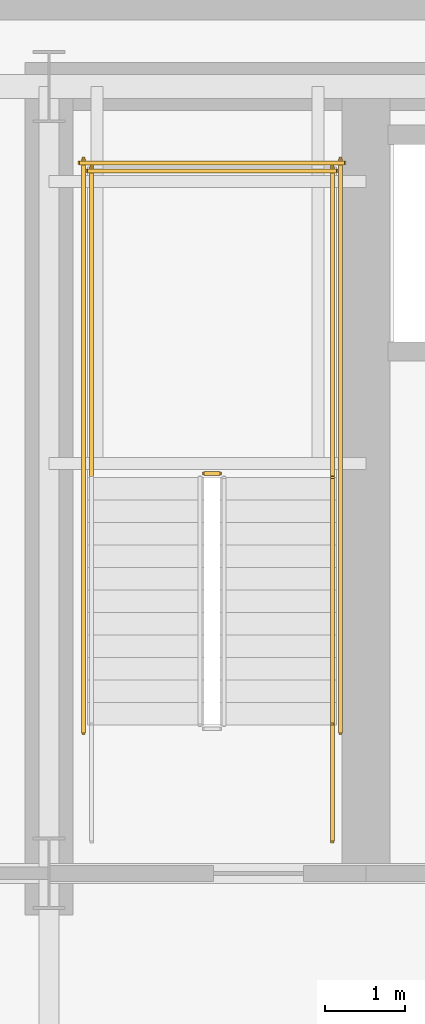
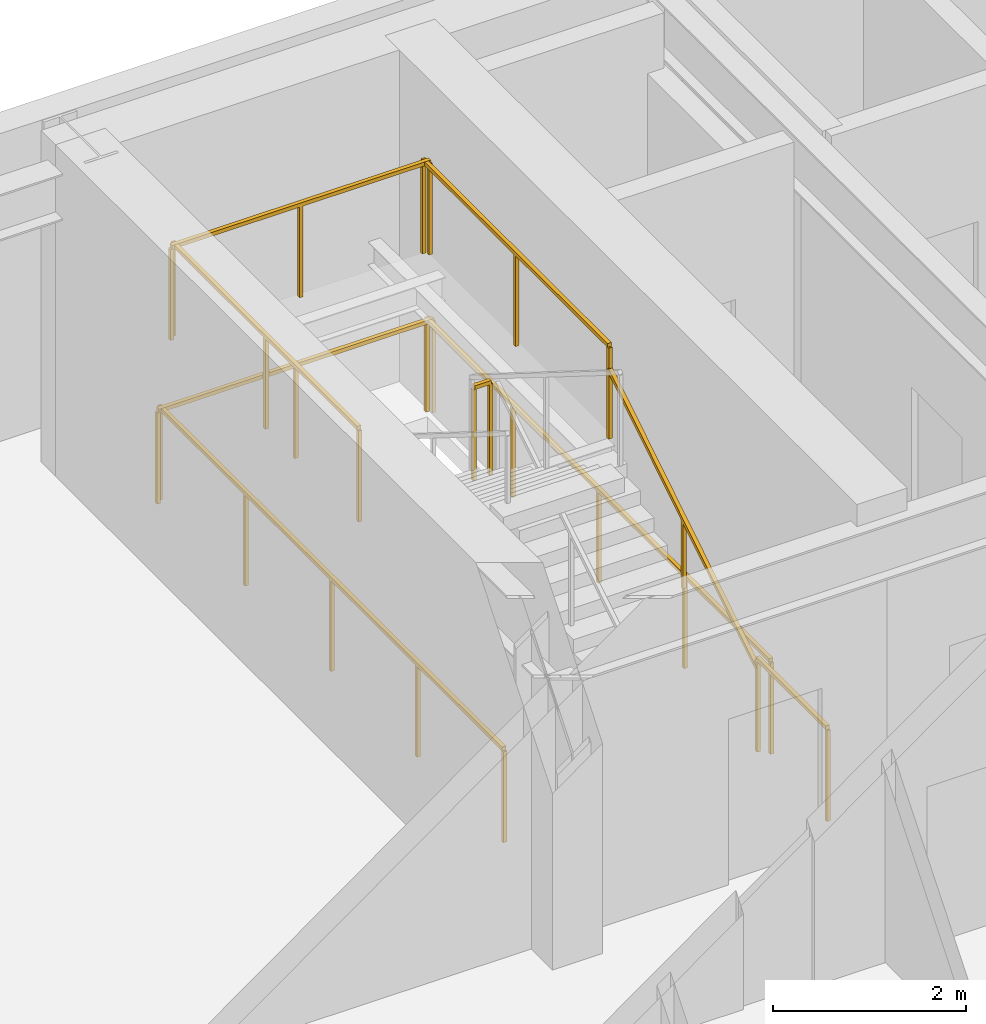
# One storey, part 12 of 15: 9 railings.
"""IFC4 building model written with IfcOpenShell, lengths in metres."""

from ifc_helpers import new_model, si_unit, direction, frame, origin, origin_2d, place, context, subcontext, project, spatial, rectangle, extrude, material, type_object, element, save


model = new_model("IFC4")

# Units and contexts
model_context = context("Model", 3, precision=1e-05, world=origin(), true_north=direction((0.0, 1.0)))
body_context = subcontext(model_context, "Body", "Model", "MODEL_VIEW")
ifc_project = project(units=[si_unit("LENGTHUNIT", "METRE"), si_unit("AREAUNIT", "SQUARE_METRE"), si_unit("VOLUMEUNIT", "CUBIC_METRE"), si_unit("PLANEANGLEUNIT", "RADIAN"), si_unit("MASSUNIT", "GRAM", prefix="KILO")], contexts=[model_context])

# Site, building, storey
site_placement = place(None, origin())
site = spatial("IfcSite", under=ifc_project, at=site_placement, CompositionType="ELEMENT")
building_placement = place(site_placement, origin())
building = spatial("IfcBuilding", under=site, at=building_placement, Name="Haevon Station Towers", CompositionType="ELEMENT")
storey_placement = place(building_placement, frame((0.0, 0.0, 77.699951171875)))
storey = spatial("IfcBuildingStorey", under=building, at=storey_placement, Name="L20", CompositionType="ELEMENT", Elevation=77.699951171875)

# Railings
ifc_material = material(Name="Steel S355", Category="steel")
railing_type_1 = type_object("IfcRailingType", Name="GRD-STR1200", PredefinedType="GUARDRAIL", material=ifc_material)
railing_1_placement = place(storey_placement, frame((26.1298828125, 43.179931640625, 2.10009765625)))
element("IfcRailing", 1, at=railing_1_placement, inside=storey, type_object=railing_type_1, Name="L20 ST1 Stair Guard 2", PredefinedType="GUARDRAIL", context=body_context, shape_type="SweptSolid", body=[
    extrude(rectangle(XDim=0.048095703125, YDim=0.048095703125, at=origin_2d()), frame((0.0, 0.0, 1.17578125), z_axis=(-1.0, 0.0, 0.0), x_axis=(0.0, -1.0, 0.0)), (0.0, 0.0, 1.0), 0.199951171875),
    extrude(rectangle(XDim=0.0419921875, YDim=0.0419921875, at=origin_2d()), origin(), (0.0, 0.0, 1.0), 1.15185546875),
    extrude(rectangle(XDim=0.0419921875, YDim=0.0419921875, at=origin_2d()), frame((-0.199951171875, 0.0, 0.0)), (0.0, 0.0, 1.0), 1.15185546875),
])
for number, where, name in (
    (2, (27.530029296875, 43.1298828125, 2.10009765625), "L20 ST1 Stair Guard 3"),
    (3, (24.530029296875, 43.1298828125, 2.10009765625), "L20 ST1 Stair Guard 4"),
):
    element("IfcRailing", number, at=place(storey_placement, frame(where)), inside=storey, type_object=railing_type_1, Name=name, PredefinedType="GUARDRAIL", context=body_context, shape_type="SweptSolid", body=[
        extrude(rectangle(XDim=0.048095703125, YDim=0.048095703125, at=origin_2d()), frame((0.0, 0.0, 1.17578125), z_axis=(0.0, 1.0, 0.0), x_axis=(-1.0, 0.0, 0.0)), (0.0, 0.0, 1.0), 3.8701171875),
        extrude(rectangle(XDim=0.0419921875, YDim=0.0419921875, at=origin_2d()), origin(), (0.0, 0.0, 1.0), 1.15185546875),
        extrude(rectangle(XDim=0.0419921875, YDim=0.0419921875, at=origin_2d()), frame((0.0, 1.93505859375, 0.0)), (0.0, 0.0, 1.0), 1.15185546875),
        extrude(rectangle(XDim=0.0419921875, YDim=0.0419921875, at=origin_2d()), frame((0.0, 3.8701171875, 0.0)), (0.0, 0.0, 1.0), 1.15185546875),
    ])
railing_2_placement = place(storey_placement, frame((27.580078125, 46.949951171875, 2.10009765625)))
element("IfcRailing", 4, at=railing_2_placement, inside=storey, type_object=railing_type_1, Name="L20 ST1 Stair Guard 5", PredefinedType="GUARDRAIL", context=body_context, shape_type="SweptSolid", body=[
    extrude(rectangle(XDim=0.048095703125, YDim=0.048095703125, at=origin_2d()), frame((0.0, 0.0, 1.17578125), z_axis=(-1.0, 0.0, 0.0), x_axis=(0.0, -1.0, 0.0)), (0.0, 0.0, 1.0), 3.10009765625),
    extrude(rectangle(XDim=0.0419921875, YDim=0.0419921875, at=origin_2d()), origin(), (0.0, 0.0, 1.0), 1.15185546875),
    extrude(rectangle(XDim=0.0419921875, YDim=0.0419921875, at=origin_2d()), frame((-1.550048828125, 0.0, 0.0)), (0.0, 0.0, 1.0), 1.15185546875),
    extrude(rectangle(XDim=0.0419921875, YDim=0.0419921875, at=origin_2d()), frame((-3.10009765625, 0.0, 0.0)), (0.0, 0.0, 1.0), 1.15185546875),
])
railing_3_placement = place(storey_placement, frame((27.530029296875, 38.60009765625, 0.0)))
element("IfcRailing", 5, at=railing_3_placement, inside=storey, type_object=railing_type_1, Name="L20 ST1 Stair Guard 8", PredefinedType="GUARDRAIL", context=body_context, shape_type="SweptSolid", body=[
    extrude(rectangle(XDim=0.048095703125, YDim=0.048095703125, at=origin_2d()), frame((0.0, 0.0, 1.17578125), z_axis=(0.0, 1.0, 0.0), x_axis=(-1.0, 0.0, 0.0)), (0.0, 0.0, 1.0), 1.449951171875),
    extrude(rectangle(XDim=0.0419921875, YDim=0.0419921875, at=origin_2d()), origin(), (0.0, 0.0, 1.0), 1.15185546875),
    extrude(rectangle(XDim=0.0419921875, YDim=0.0419921875, at=origin_2d()), frame((0.0, 1.449951171875, 0.0)), (0.0, 0.0, 1.0), 1.15185546875),
])
for number, where, name in (
    (6, (27.6298828125, 39.949951171875, 0.0), "L20 ST1 Stair Guard 10"),
    (7, (24.429931640625, 39.949951171875, 0.0), "L20 ST1 Stair Guard 11"),
):
    element("IfcRailing", number, at=place(storey_placement, frame(where)), inside=storey, type_object=railing_type_1, Name=name, PredefinedType="GUARDRAIL", context=body_context, shape_type="SweptSolid", body=[
        extrude(rectangle(XDim=0.048095703125, YDim=0.048095703125, at=origin_2d()), frame((0.0, 0.0, 1.17578125), z_axis=(0.0, 1.0, 0.0), x_axis=(-1.0, 0.0, 0.0)), (0.0, 0.0, 1.0), 7.150146484375),
        extrude(rectangle(XDim=0.0419921875, YDim=0.0419921875, at=origin_2d()), origin(), (0.0, 0.0, 1.0), 1.15185546875),
        extrude(rectangle(XDim=0.0419921875, YDim=0.0419921875, at=origin_2d()), frame((0.0, 1.78759765625, 0.0)), (0.0, 0.0, 1.0), 1.15185546875),
        extrude(rectangle(XDim=0.0419921875, YDim=0.0419921875, at=origin_2d()), frame((0.0, 3.5751953125, 0.0)), (0.0, 0.0, 1.0), 1.15185546875),
        extrude(rectangle(XDim=0.0419921875, YDim=0.0419921875, at=origin_2d()), frame((0.0, 5.362548828125, 0.0)), (0.0, 0.0, 1.0), 1.15185546875),
        extrude(rectangle(XDim=0.0419921875, YDim=0.0419921875, at=origin_2d()), frame((0.0, 7.150146484375, 0.0)), (0.0, 0.0, 1.0), 1.15185546875),
    ])
railing_4_placement = place(storey_placement, frame((27.679931640625, 47.050048828125, 0.0)))
element("IfcRailing", 8, at=railing_4_placement, inside=storey, type_object=railing_type_1, Name="L20 ST1 Stair Guard 12", PredefinedType="GUARDRAIL", context=body_context, shape_type="SweptSolid", body=[
    extrude(rectangle(XDim=0.048095703125, YDim=0.048095703125, at=origin_2d()), frame((0.0, 0.0, 1.17578125), z_axis=(-1.0, 0.0, 0.0), x_axis=(0.0, -1.0, 0.0)), (0.0, 0.0, 1.0), 3.300048828125),
    extrude(rectangle(XDim=0.0419921875, YDim=0.0419921875, at=origin_2d()), origin(), (0.0, 0.0, 1.0), 1.15185546875),
    extrude(rectangle(XDim=0.0419921875, YDim=0.0419921875, at=origin_2d()), frame((-1.64990234375, 0.0, 0.0)), (0.0, 0.0, 1.0), 1.15185546875),
    extrude(rectangle(XDim=0.0419921875, YDim=0.0419921875, at=origin_2d()), frame((-3.300048828125, 0.0, 0.0)), (0.0, 0.0, 1.0), 1.15185546875),
])
railing_type_2 = type_object("IfcRailingType", Name="HND-STR900", PredefinedType="HANDRAIL", material=ifc_material)
railing_5_placement = place(storey_placement, frame((27.530029296875, 40.050048828125, 0.175048828125)))
element("IfcRailing", 9, at=railing_5_placement, inside=storey, type_object=railing_type_2, Name="L20 ST1 Stair Handrail 1", PredefinedType="HANDRAIL", context=body_context, shape_type="SweptSolid", body=[
    extrude(rectangle(XDim=0.048095703125, YDim=0.048095703125, at=origin_2d()), frame((0.0, 0.0, 0.8759765625), z_axis=(0.0, 0.847979421464, 0.530029150871), x_axis=(-1.0, 0.0, 0.0)), (0.0, 0.0, 1.0), 3.632080078125),
    extrude(rectangle(XDim=0.0419921875, YDim=0.0419921875, at=origin_2d()), origin(), (0.0, 0.0, 1.0), 0.851806640625),
    extrude(rectangle(XDim=0.0419921875, YDim=0.0419921875, at=origin_2d()), frame((0.0, 1.5400390625, 0.96240234375)), (0.0, 0.0, 1.0), 0.851806640625),
    extrude(rectangle(XDim=0.0419921875, YDim=0.0419921875, at=origin_2d()), frame((0.0, 3.079833984375, 1.925048828125)), (0.0, 0.0, 1.0), 0.851806640625),
])

save(model, "model.ifc")
